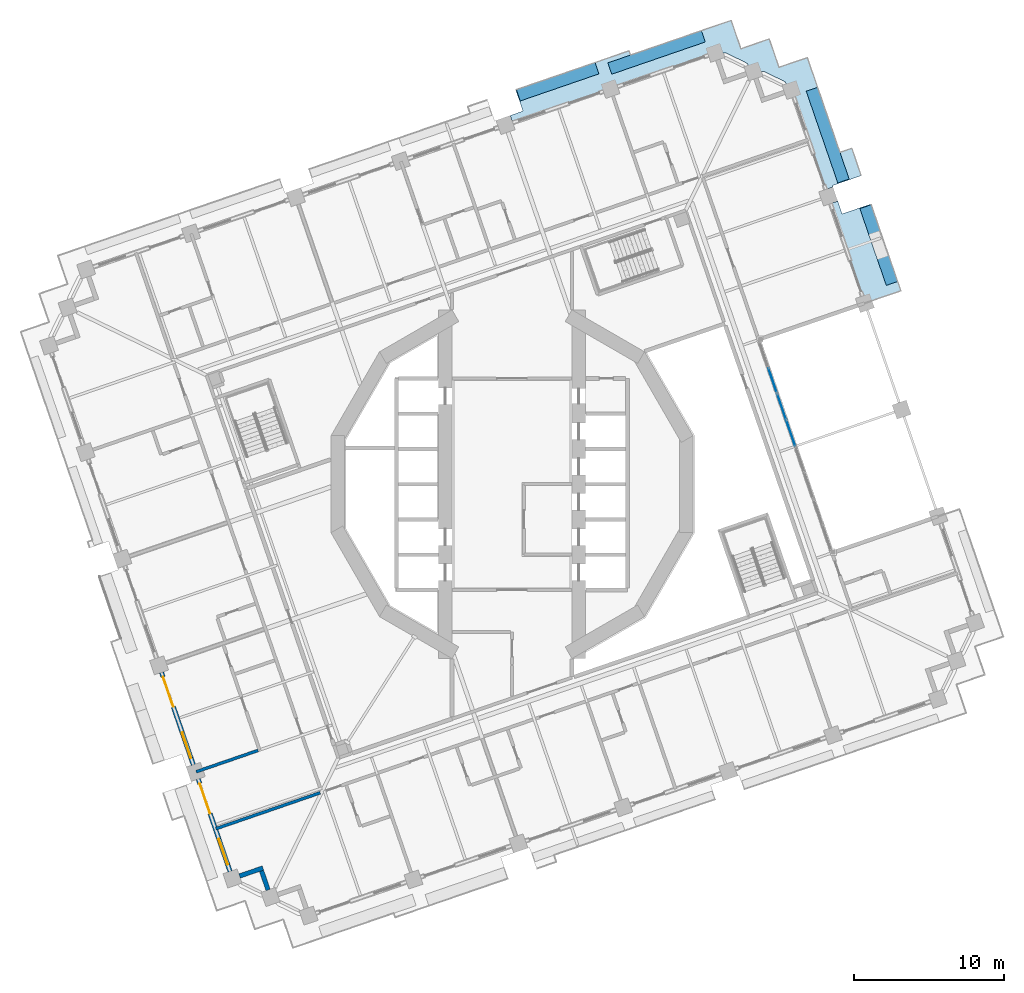
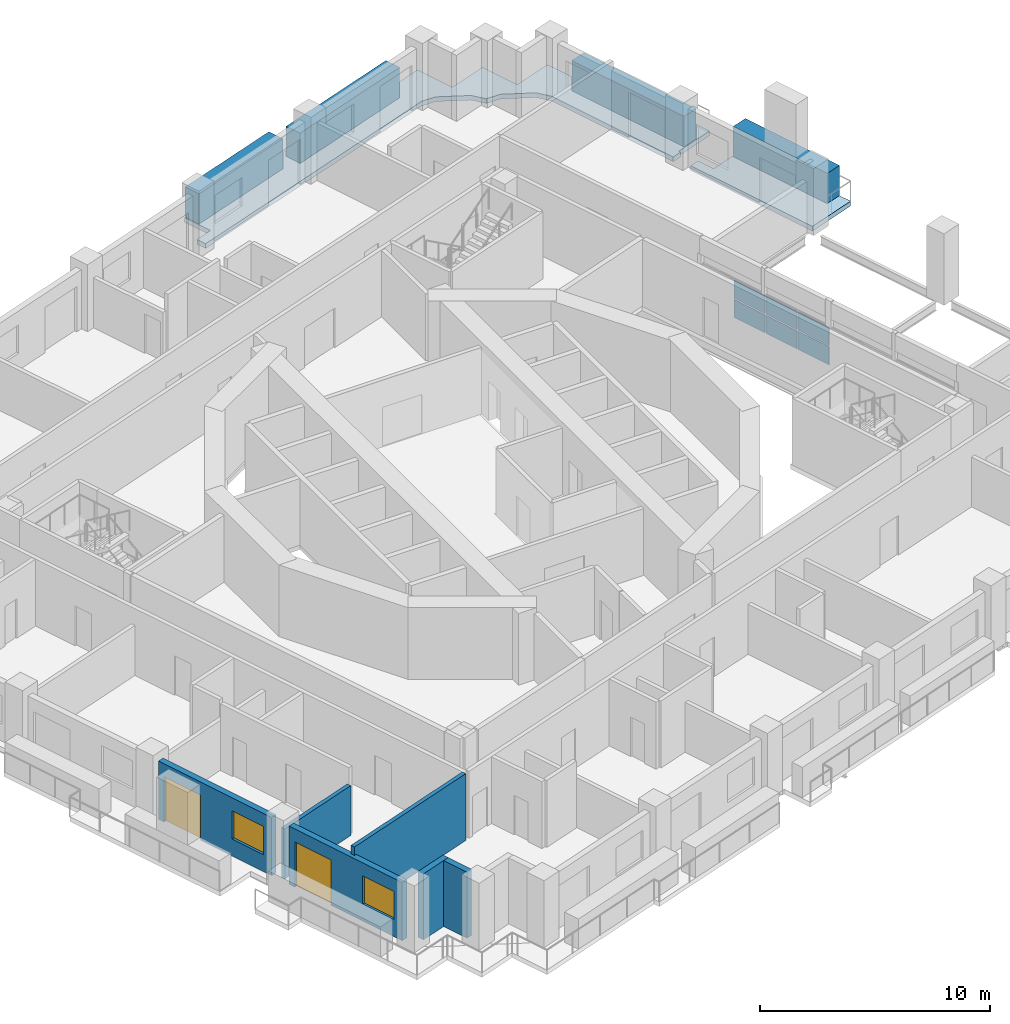
# One storey, part 7 of 21: 10 plates, 6 walls, 2 doors, 2 slabs, 2 windows, 4 openings, 1 element without a shape of its own.
"""IFC4 building model written with IfcOpenShell, lengths in metres."""

from ifc_helpers import new_model, si_unit, direction, frame, frame_2d, origin, origin_2d, place, context, subcontext, project, spatial, polyline, rectangle, outline, extrude, material, layer, layer_set, type_object, element, fill, aggregate, save


model = new_model("IFC4")

# Units and contexts
model_context = context("Model", 3, precision=1e-05, world=origin(), true_north=direction((0.0, 1.0)))
body_context = subcontext(model_context, "Body", "Model", "MODEL_VIEW")
ifc_project = project(units=[si_unit("LENGTHUNIT", "METRE"), si_unit("AREAUNIT", "SQUARE_METRE"), si_unit("VOLUMEUNIT", "CUBIC_METRE"), si_unit("PLANEANGLEUNIT", "RADIAN"), si_unit("MASSUNIT", "GRAM", prefix="KILO")], contexts=[model_context])

# Site, building, storey
site_placement = place(None, origin())
site = spatial("IfcSite", under=ifc_project, at=site_placement, CompositionType="ELEMENT")
building_placement = place(site_placement, origin())
building = spatial("IfcBuilding", under=site, at=building_placement, Name="Cantera Rosa Tower", CompositionType="ELEMENT")
storey_placement = place(building_placement, frame((0.0, 0.0, 119.300048828125)))
storey = spatial("IfcBuildingStorey", under=building, at=storey_placement, Name="L24", CompositionType="ELEMENT", Elevation=119.300048828125)

# Curtain wall, plates
ifc_material_1 = material(Name="Aluminium frame with clear glass", Category="aluminium")
curtain_wall_type = type_object("IfcCurtainWallType", Name="CW1 TERRACE POCKET GLAZING", PredefinedType="NOTDEFINED", material=ifc_material_1)
curtain_wall_placement = place(storey_placement, origin())
curtain_wall = element("IfcCurtainWall", 1, at=curtain_wall_placement, inside=storey, type_object=curtain_wall_type, Name="CW1 CW1", PredefinedType="NOTDEFINED")
ifc_material_2 = material(Name="Aluminium frame with clear glass", Category="aluminium")
ifc_layer_1 = layer(ifc_material_2, 0.028076171875)
ifc_layer_set_1 = layer_set([ifc_layer_1], Name="CW-PANEL POCKET")
plate_type_1 = type_object("IfcPlateType", Name="CW-PANEL POCKET", PredefinedType="CURTAIN_PANEL", material=ifc_layer_set_1)
plate_1_placement = place(storey_placement, frame((18.6044921875, 3.406982421875, 0.06005859375), z_axis=(0.0, 0.0, 1.0), x_axis=(-0.32556815449, 0.945518575588, 0.0)))
plate_1 = element("IfcPlate", 2, at=plate_1_placement, type_object=plate_type_1, Name="CW1 panel 5.1", PredefinedType="CURTAIN_PANEL", context=body_context, shape_type="SweptSolid", body=[
    extrude(rectangle(XDim=1.788818359375, YDim=0.028076171875, at=origin_2d()), origin(), (0.0, 0.0, 1.0), 0.9619140625),
])
plate_2_placement = place(storey_placement, frame((18.6044921875, 3.406982421875, 1.08203125), z_axis=(0.0, 0.0, 1.0), x_axis=(-0.32556815449, 0.945518575588, 0.0)))
plate_2 = element("IfcPlate", 3, at=plate_2_placement, type_object=plate_type_1, Name="CW1 panel 5.2", PredefinedType="CURTAIN_PANEL", context=body_context, shape_type="SweptSolid", body=[
    extrude(rectangle(XDim=1.788818359375, YDim=0.028076171875, at=origin_2d()), origin(), (0.0, 0.0, 1.0), 0.9619140625),
])
plate_3_placement = place(storey_placement, frame((18.00244140625, 5.155029296875, 0.06005859375), z_axis=(0.0, 0.0, 1.0), x_axis=(-0.32556815449, 0.945518575588, 0.0)))
plate_3 = element("IfcPlate", 4, at=plate_3_placement, type_object=plate_type_1, Name="CW1 panel 6.1", PredefinedType="CURTAIN_PANEL", context=body_context, shape_type="SweptSolid", body=[
    extrude(rectangle(XDim=1.788818359375, YDim=0.028076171875, at=origin_2d()), origin(), (0.0, 0.0, 1.0), 0.9619140625),
])
plate_4_placement = place(storey_placement, frame((18.00244140625, 5.155029296875, 1.08203125), z_axis=(0.0, 0.0, 1.0), x_axis=(-0.32556815449, 0.945518575588, 0.0)))
plate_4 = element("IfcPlate", 5, at=plate_4_placement, type_object=plate_type_1, Name="CW1 panel 6.2", PredefinedType="CURTAIN_PANEL", context=body_context, shape_type="SweptSolid", body=[
    extrude(rectangle(XDim=1.788818359375, YDim=0.028076171875, at=origin_2d()), origin(), (0.0, 0.0, 1.0), 0.9619140625),
])
plate_5_placement = place(storey_placement, frame((17.400634765625, 6.903076171875, 0.06005859375), z_axis=(0.0, 0.0, 1.0), x_axis=(-0.32556815449, 0.945518575588, 0.0)))
plate_5 = element("IfcPlate", 6, at=plate_5_placement, type_object=plate_type_1, Name="CW1 panel 7.1", PredefinedType="CURTAIN_PANEL", context=body_context, shape_type="SweptSolid", body=[
    extrude(rectangle(XDim=1.788818359375, YDim=0.028076171875, at=origin_2d()), origin(), (0.0, 0.0, 1.0), 0.9619140625),
])
plate_6_placement = place(storey_placement, frame((17.400634765625, 6.903076171875, 1.08203125), z_axis=(0.0, 0.0, 1.0), x_axis=(-0.32556815449, 0.945518575588, 0.0)))
plate_6 = element("IfcPlate", 7, at=plate_6_placement, type_object=plate_type_1, Name="CW1 panel 7.2", PredefinedType="CURTAIN_PANEL", context=body_context, shape_type="SweptSolid", body=[
    extrude(rectangle(XDim=1.788818359375, YDim=0.028076171875, at=origin_2d()), origin(), (0.0, 0.0, 1.0), 0.9619140625),
])
aggregate(curtain_wall, [plate_1, plate_2, plate_3, plate_4, plate_5, plate_6])

# Slabs
ifc_material_3 = material(Name="Concrete C35/45", Category="concrete")
ifc_layer_2 = layer(ifc_material_3, 0.25)
ifc_layer_set_2 = layer_set([ifc_layer_2], Name="LOGGIA SLAB 250 C35/45")
slab_type = type_object("IfcSlabType", Name="LOGGIA SLAB 250 C35/45", PredefinedType="FLOOR", material=ifc_layer_set_2)
slab_1_placement = place(storey_placement, frame((0.0, 0.0, -0.25)))
element("IfcSlab", 8, at=slab_1_placement, inside=storey, type_object=slab_type, Name="LOGGIA SLAB L24 6", PredefinedType="FLOOR", context=body_context, shape_type="SweptSolid", body=[
    extrude(outline(polyline([(13.01416015625, 30.392822265625), (14.62158203125, 30.9462890625), (15.1748046875, 29.3388671875), (15.272705078125, 29.05517578125), (15.556396484375, 29.15283203125), (17.16357421875, 29.706298828125), (17.717041015625, 28.09912109375), (17.814697265625, 27.815185546875), (18.098388671875, 27.9130859375), (19.705810546875, 28.466552734375), (20.25927734375, 26.859130859375), (21.882568359375, 22.14501953125), (22.67138671875, 22.41650390625), (23.301025390625, 20.587646484375), (21.377685546875, 19.92529296875), (21.41015625, 19.830810546875), (20.9375, 19.668212890625), (18.948974609375, 25.443115234375), (18.65185546875, 26.3056640625), (18.240966796875, 26.814453125), (18.220458984375, 26.83544921875), (18.197998046875, 26.8544921875), (18.173583984375, 26.87109375), (18.14794921875, 26.88525390625), (16.876708984375, 27.505126953125), (16.849609375, 27.516845703125), (16.82177734375, 27.525634765625), (16.79296875, 27.53173828125), (16.763671875, 27.534912109375), (16.109619140625, 27.54541015625), (15.698974609375, 28.05419921875), (15.67822265625, 28.075439453125), (15.65576171875, 28.09423828125), (15.631591796875, 28.111083984375), (15.605712890625, 28.125), (14.334716796875, 28.7451171875), (14.3076171875, 28.756591796875), (14.279541015625, 28.765625), (14.250732421875, 28.771728515625), (14.221435546875, 28.77490234375), (13.567626953125, 28.785400390625), (0.046630859375, 24.1298828125), (-0.1162109375, 24.6025390625), (0.73486328125, 24.8955078125), (0.24658203125, 26.31298828125), (7.81005859375, 28.91748046875), (7.907470703125, 28.634521484375), (13.01416015625, 30.392822265625)])), origin(), (0.0, 0.0, 1.0), 0.25),
])
slab_2_placement = place(storey_placement, frame((0.0, 0.0, -0.25)))
element("IfcSlab", 9, at=slab_2_placement, inside=storey, type_object=slab_type, Name="LOGGIA SLAB L24 7", PredefinedType="FLOOR", context=body_context, shape_type="SweptSolid", body=[
    extrude(outline(polyline([(21.735595703125, 18.885498046875), (22.02880859375, 18.034423828125), (23.9521484375, 18.69677734375), (25.944580078125, 12.91015625), (23.548583984375, 12.0849609375), (21.262939453125, 18.72265625), (21.735595703125, 18.885498046875)])), origin(), (0.0, 0.0, 1.0), 0.25),
])

# Plates
ifc_material_4 = material(Name="Cantera stone planter with soil", Category="masonry")
plate_type_2 = type_object("IfcPlateType", Name="PLANTER 800", PredefinedType="USERDEFINED", material=ifc_material_4)
plate_7_placement = place(storey_placement, frame((24.47265625, 15.956787109375, 0.0), z_axis=(0.0, 0.0, 1.0), x_axis=(-0.325568154457, 0.945518575599, 0.0)))
element("IfcPlate", 10, at=plate_7_placement, inside=storey, type_object=plate_type_2, Name="PLANTER L24-04", ObjectType="PLANTER", PredefinedType="USERDEFINED", context=body_context, shape_type="SweptSolid", body=[
    extrude(rectangle(XDim=5.419921875, YDim=0.800048828125, at=origin_2d()), origin(), (0.0, 0.0, 1.0), 1.60009765625),
])
plate_8_placement = place(storey_placement, frame((21.064453125, 23.2919921875, 0.0), z_axis=(0.0, 0.0, 1.0), x_axis=(-0.325568154457, 0.945518575599, 0.0)))
element("IfcPlate", 11, at=plate_8_placement, inside=storey, type_object=plate_type_2, Name="PLANTER L24-05", ObjectType="PLANTER", PredefinedType="USERDEFINED", context=body_context, shape_type="SweptSolid", body=[
    extrude(rectangle(XDim=6.469970703125, YDim=0.800048828125, at=origin_2d()), origin(), (0.0, 0.0, 1.0), 1.60009765625),
])
plate_9_placement = place(storey_placement, frame((9.64599609375, 28.81005859375, 0.0), z_axis=(0.0, 0.0, 1.0), x_axis=(-0.945518575599, -0.325568154457, 0.0)))
element("IfcPlate", 12, at=plate_9_placement, inside=storey, type_object=plate_type_2, Name="PLANTER L24-06", ObjectType="PLANTER", PredefinedType="USERDEFINED", context=body_context, shape_type="SweptSolid", body=[
    extrude(rectangle(XDim=6.60009765625, YDim=0.800048828125, at=origin_2d()), origin(), (0.0, 0.0, 1.0), 1.60009765625),
])
plate_10_placement = place(storey_placement, frame((3.048095703125, 26.8544921875, 0.0), z_axis=(0.0, 0.0, 1.0), x_axis=(-0.945518575599, -0.325568154457, 0.0)))
element("IfcPlate", 13, at=plate_10_placement, inside=storey, type_object=plate_type_2, Name="PLANTER L24-07", ObjectType="PLANTER", PredefinedType="USERDEFINED", context=body_context, shape_type="SweptSolid", body=[
    extrude(rectangle(XDim=5.550048828125, YDim=0.800048828125, at=origin_2d()), origin(), (0.0, 0.0, 1.0), 1.60009765625),
])

# Walls
ifc_material_5 = material(Name="Hollow clay masonry with cantera stone cladding", Category="masonry")
ifc_layer_3 = layer(ifc_material_5, 0.300048828125)
ifc_layer_set_3 = layer_set([ifc_layer_3], Name="EW-LOGGIA 300")
wall_type_1 = type_object("IfcWallType", Name="EW-LOGGIA 300", PredefinedType="SOLIDWALL", material=ifc_layer_set_3)
wall_1_placement = place(storey_placement, frame((-18.17919921875, -26.142822265625, 0.0), z_axis=(0.0, 0.0, 1.0), x_axis=(0.945530119553, 0.32553462645, 0.0)))
element("IfcWall", 14, at=wall_1_placement, inside=storey, type_object=wall_type_1, Name="EN-L24-W21a", PredefinedType="SOLIDWALL", context=body_context, shape_type="SweptSolid", body=[
    extrude(rectangle(XDim=1.64990234375, YDim=0.300048828125, at=frame_2d((0.824951171875, 0.0))), origin(), (0.0, 0.0, 1.0), 3.5),
])
wall_2_placement = place(storey_placement, frame((-16.7119140625, -25.79638671875, 0.0), z_axis=(0.0, 0.0, 1.0), x_axis=(0.325544748006, -0.945526634763, 0.0)))
element("IfcWall", 15, at=wall_2_placement, inside=storey, type_object=wall_type_1, Name="EN-L24-W21b", PredefinedType="SOLIDWALL", context=body_context, shape_type="SweptSolid", body=[
    extrude(rectangle(XDim=1.349853515625, YDim=0.300048828125, at=frame_2d((0.6748046875, 0.0))), origin(), (0.0, 0.0, 1.0), 3.5),
])

# Wall, openings, window, door
ifc_material_6 = material(Name="Hollow clay masonry with cantera stone cladding", Category="masonry")
ifc_layer_4 = layer(ifc_material_6, 0.300048828125)
ifc_layer_set_4 = layer_set([ifc_layer_4], Name="EW-LOGGIA 300 H3090")
wall_type_2 = type_object("IfcWallType", Name="EW-LOGGIA 300 H3090", PredefinedType="SOLIDWALL", material=ifc_layer_set_4)
wall_3_placement = place(storey_placement, frame((-23.3857421875, -12.557861328125, 0.0), z_axis=(0.0, 0.0, 1.0), x_axis=(0.325580990241, -0.945514155787, 0.0)))
wall_3 = element("IfcWall", 16, at=wall_3_placement, inside=storey, type_object=wall_type_2, Name="EN-L24-W19", PredefinedType="SOLIDWALL", context=body_context, shape_type="SweptSolid", body=[
    extrude(rectangle(XDim=6.52001953125, YDim=0.300048828125, at=frame_2d((3.260009765625, 0.0))), origin(), (0.0, 0.0, 1.0), 3.08984375),
])
opening_1_placement = place(wall_3_placement, frame((0.330078125, 0.0, 0.0)))
opening_1 = element("IfcOpeningElement", 17, at=opening_1_placement, cuts=wall_3, Name="Opening L24-TD25", PredefinedType="OPENING", context=body_context, shape_type="SweptSolid", body=[
    extrude(rectangle(XDim=2.10009765625, YDim=2.39990234375, at=frame_2d((1.050048828125, 1.199951171875))), frame((0.0, 0.159912109375, 0.0), z_axis=(0.0, -1.0, 0.0), x_axis=(1.0, 0.0, 0.0)), (0.0, 0.0, 1.0), 0.320068359375),
])
opening_2_placement = place(wall_3_placement, frame((4.239990234375, 0.0, 0.89990234375)))
opening_2 = element("IfcOpeningElement", 18, at=opening_2_placement, cuts=wall_3, Name="Opening L24-W26", PredefinedType="OPENING", context=body_context, shape_type="SweptSolid", body=[
    extrude(rectangle(XDim=1.800048828125, YDim=1.5, at=frame_2d((0.89990234375, 0.75))), frame((0.0, 0.159912109375, 0.0), z_axis=(0.0, -1.0, 0.0), x_axis=(1.0, 0.0, 0.0)), (0.0, 0.0, 1.0), 0.320068359375),
])
ifc_material_7 = material(Name="Aluminium frame with clear glass", Category="aluminium")
window_type = type_object("IfcWindowType", Name="Hotel room window 1800x1500", PartitioningType="DOUBLE_PANEL_VERTICAL", PredefinedType="WINDOW", material=ifc_material_7)
window_1_placement = place(opening_2_placement, origin())
window_1 = element("IfcWindow", 19, at=window_1_placement, inside=storey, type_object=window_type, Name="WINDOW L24-W26", OverallHeight=1.5, OverallWidth=1.800048828125, PartitioningType="SINGLE_PANEL", PredefinedType="WINDOW", context=body_context, shape_type="SweptSolid", body=[
    extrude(rectangle(XDim=1.800048828125, YDim=1.5, at=frame_2d((0.89990234375, 0.75))), frame((0.0, 0.030029296875, 0.0), z_axis=(0.0, -1.0, 0.0), x_axis=(1.0, 0.0, 0.0)), (0.0, 0.0, 1.0), 0.06005859375),
])
fill(opening_2, window_1)
ifc_material_8 = material(Name="Aluminium frame with clear glass", Category="aluminium")
door_type = type_object("IfcDoorType", Name="TD-H 2100x2400", OperationType="NOTDEFINED", PredefinedType="DOOR", material=ifc_material_8)
door_1_placement = place(opening_1_placement, origin())
door_1 = element("IfcDoor", 20, at=door_1_placement, inside=storey, type_object=door_type, Name="LOGGIA DOOR L24-TD25", OperationType="SLIDING_TO_LEFT", OverallHeight=2.39990234375, OverallWidth=2.10009765625, PredefinedType="DOOR", context=body_context, shape_type="SweptSolid", body=[
    extrude(rectangle(XDim=2.10009765625, YDim=2.39990234375, at=frame_2d((1.050048828125, 1.199951171875))), frame((0.0, 0.02490234375, 0.0), z_axis=(0.0, -1.0, 0.0), x_axis=(1.0, 0.0, 0.0)), (0.0, 0.0, 1.0), 0.050048828125),
])
fill(opening_1, door_1)

wall_4_placement = place(storey_placement, frame((-20.9375, -19.668212890625, 0.0), z_axis=(0.0, 0.0, 1.0), x_axis=(0.325592517631, -0.945510186335, 0.0)))
wall_4 = element("IfcWall", 21, at=wall_4_placement, inside=storey, type_object=wall_type_2, Name="EN-L24-W20", PredefinedType="SOLIDWALL", context=body_context, shape_type="SweptSolid", body=[
    extrude(rectangle(XDim=6.519775390625, YDim=0.300048828125, at=frame_2d((3.259765625, 0.0))), origin(), (0.0, 0.0, 1.0), 3.08984375),
])
opening_3_placement = place(wall_4_placement, frame((0.330078125, 0.0, 0.0)))
opening_3 = element("IfcOpeningElement", 22, at=opening_3_placement, cuts=wall_4, Name="Opening L24-TD27", PredefinedType="OPENING", context=body_context, shape_type="SweptSolid", body=[
    extrude(rectangle(XDim=2.10009765625, YDim=2.39990234375, at=frame_2d((1.050048828125, 1.199951171875))), frame((0.0, 0.159912109375, 0.0), z_axis=(0.0, -1.0, 0.0), x_axis=(1.0, 0.0, 0.0)), (0.0, 0.0, 1.0), 0.320068359375),
])
opening_4_placement = place(wall_4_placement, frame((4.239990234375, 0.0, 0.89990234375)))
opening_4 = element("IfcOpeningElement", 23, at=opening_4_placement, cuts=wall_4, Name="Opening L24-W28", PredefinedType="OPENING", context=body_context, shape_type="SweptSolid", body=[
    extrude(rectangle(XDim=1.800048828125, YDim=1.5, at=frame_2d((0.89990234375, 0.75))), frame((0.0, 0.159912109375, 0.0), z_axis=(0.0, -1.0, 0.0), x_axis=(1.0, 0.0, 0.0)), (0.0, 0.0, 1.0), 0.320068359375),
])
window_2_placement = place(opening_4_placement, origin())
window_2 = element("IfcWindow", 24, at=window_2_placement, inside=storey, type_object=window_type, Name="WINDOW L24-W28", OverallHeight=1.5, OverallWidth=1.800048828125, PartitioningType="SINGLE_PANEL", PredefinedType="WINDOW", context=body_context, shape_type="SweptSolid", body=[
    extrude(rectangle(XDim=1.800048828125, YDim=1.5, at=frame_2d((0.89990234375, 0.75))), frame((0.0, 0.030029296875, 0.0), z_axis=(0.0, -1.0, 0.0), x_axis=(1.0, 0.0, 0.0)), (0.0, 0.0, 1.0), 0.06005859375),
])
fill(opening_4, window_2)
door_2_placement = place(opening_3_placement, origin())
door_2 = element("IfcDoor", 25, at=door_2_placement, inside=storey, type_object=door_type, Name="LOGGIA DOOR L24-TD27", OperationType="SLIDING_TO_LEFT", OverallHeight=2.39990234375, OverallWidth=2.10009765625, PredefinedType="DOOR", context=body_context, shape_type="SweptSolid", body=[
    extrude(rectangle(XDim=2.10009765625, YDim=2.39990234375, at=frame_2d((1.050048828125, 1.199951171875))), frame((0.0, 0.02490234375, 0.0), z_axis=(0.0, -1.0, 0.0), x_axis=(1.0, 0.0, 0.0)), (0.0, 0.0, 1.0), 0.050048828125),
])
fill(opening_3, door_2)

# Walls
ifc_material_9 = material(Name="Gypsum board partition")
ifc_layer_5 = layer(ifc_material_9, 0.199951171875)
ifc_layer_set_5 = layer_set([ifc_layer_5], Name="PARTITION 200 H2650")
wall_type_3 = type_object("IfcWallType", Name="PARTITION 200 H2650", PredefinedType="PARTITIONING", material=ifc_layer_set_5)
wall_5_placement = place(storey_placement, frame((-16.93994140625, -17.7626953125, 0.0), z_axis=(0.0, 0.0, 1.0), x_axis=(-0.945508265481, -0.325598095676, 0.0)))
element("IfcWall", 26, at=wall_5_placement, inside=storey, type_object=wall_type_3, Name="PARTITION L24-021", PredefinedType="PARTITIONING", context=body_context, shape_type="SweptSolid", body=[
    extrude(rectangle(XDim=4.369873046875, YDim=0.199951171875, at=frame_2d((2.18505859375, 0.0))), origin(), (0.0, 0.0, 1.0), 2.64990234375),
])
ifc_material_10 = material(Name="Gypsum board partition")
ifc_layer_6 = layer(ifc_material_10, 0.199951171875)
ifc_layer_set_6 = layer_set([ifc_layer_6], Name="PARTY WALL 200 H3550")
wall_type_4 = type_object("IfcWallType", Name="PARTY WALL 200 H3550", PredefinedType="PARTITIONING", material=ifc_layer_set_6)
wall_6_placement = place(storey_placement, frame((-19.762939453125, -22.986572265625, 0.0), z_axis=(0.0, 0.0, 1.0), x_axis=(0.945516523202, 0.32557411499, 0.0)))
element("IfcWall", 27, at=wall_6_placement, inside=storey, type_object=wall_type_4, Name="PARTY WALL L24-012", PredefinedType="PARTITIONING", context=body_context, shape_type="SweptSolid", body=[
    extrude(rectangle(XDim=7.369873046875, YDim=0.199951171875, at=frame_2d((3.68505859375, 0.0))), origin(), (0.0, 0.0, 1.0), 3.550048828125),
])

save(model, "model.ifc")
